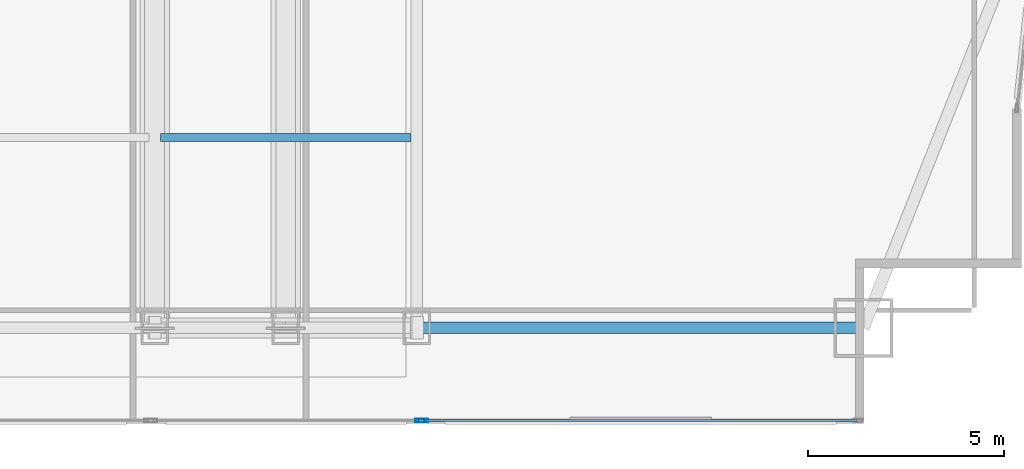
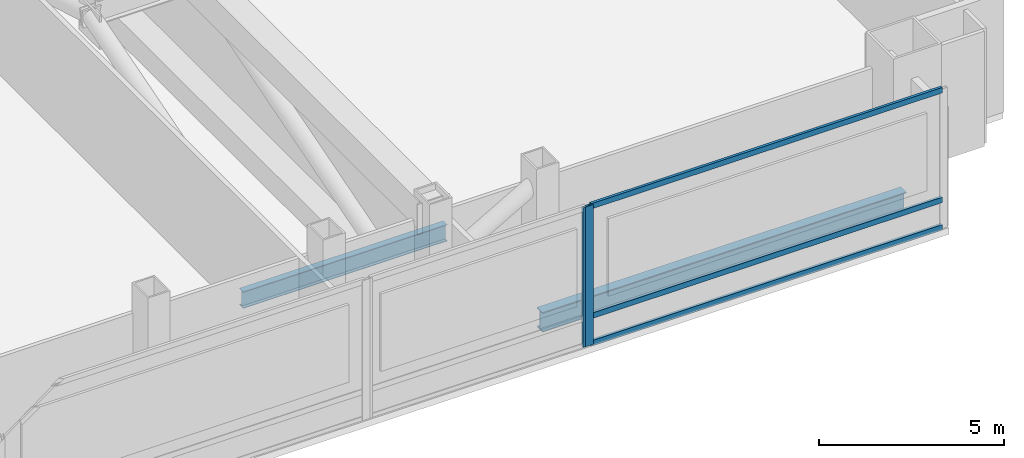
# One storey, part 15 of 32: 5 members, 2 beams, 2 elements without a shape of their own.
"""IFC4 building model written with IfcOpenShell, lengths in metres."""

from ifc_helpers import new_model, si_unit, direction, frame, origin, origin_2d, place, context, subcontext, project, spatial, hollow_rectangle, i_section, extrude, material, material_profile, profile_set, type_object, element, aggregate, save


model = new_model("IFC4")

# Units and contexts
model_context = context("Model", 3, precision=1e-05, world=origin(), true_north=direction((0.0, 1.0)))
body_context = subcontext(model_context, "Body", "Model", "MODEL_VIEW")
ifc_project = project(units=[si_unit("LENGTHUNIT", "METRE"), si_unit("AREAUNIT", "SQUARE_METRE"), si_unit("VOLUMEUNIT", "CUBIC_METRE"), si_unit("PLANEANGLEUNIT", "RADIAN"), si_unit("MASSUNIT", "GRAM", prefix="KILO")], contexts=[model_context])

# Site, building, storey
site_placement = place(None, origin())
site = spatial("IfcSite", under=ifc_project, at=site_placement, CompositionType="ELEMENT")
building_placement = place(site_placement, origin())
building = spatial("IfcBuilding", under=site, at=building_placement, Name="Khoronbel Lancet Exchange", CompositionType="ELEMENT")
storey_placement = place(building_placement, frame((0.0, 0.0, 85.800048828125)))
storey = spatial("IfcBuildingStorey", under=building, at=storey_placement, Name="L20", CompositionType="ELEMENT", Elevation=85.800048828125)

# Beams
ifc_material_1 = material(Name="Steel S355", Category="steel")
ifc_material_profile_1 = material_profile(ifc_material_1, i_section(OverallWidth=0.2099609375, OverallDepth=0.550048828125, WebThickness=0.010986328125, FlangeThickness=0.01708984375, at=origin_2d()), Name="IPE 550")
ifc_profile_set_1 = profile_set([ifc_material_profile_1], Name="Steel S355")
beam_type_1 = type_object("IfcBeamType", Name="BM-BJ2", PredefinedType="JOIST", material=ifc_profile_set_1)
beam_1_placement = place(storey_placement, frame((48.14990234375, 15.0, -0.4951171875), z_axis=(1.0, 0.0, 0.0), x_axis=(0.0, 1.0, 0.0)))
element("IfcBeam", 1, at=beam_1_placement, inside=storey, type_object=beam_type_1, Name="Level L20 secondary composite joist J05", PredefinedType="JOIST", context=body_context, shape_type="SweptSolid", body=[
    extrude(i_section(OverallWidth=0.2099609375, OverallDepth=0.550048828125, WebThickness=0.010986328125, FlangeThickness=0.01708984375, at=origin_2d()), origin(), (0.0, 0.0, 1.0), 6.375),
])
ifc_material_profile_2 = material_profile(ifc_material_1, i_section(OverallWidth=0.300048828125, OverallDepth=0.64990234375, WebThickness=0.01611328125, FlangeThickness=0.031005859375, at=origin_2d()), Name="HEB 650")
ifc_profile_set_2 = profile_set([ifc_material_profile_2], Name="Steel S355")
beam_type_2 = type_object("IfcBeamType", Name="BM-BSP1", PredefinedType="SPANDREL", material=ifc_profile_set_2)
beam_2_placement = place(storey_placement, frame((54.675048828125, 10.14990234375, -0.545166015625), z_axis=(1.0, 0.0, 0.0), x_axis=(0.0, 1.0, 0.0)))
element("IfcBeam", 2, at=beam_2_placement, inside=storey, type_object=beam_type_2, Name="Level L20 perimeter spandrel beam SP09", PredefinedType="SPANDREL", context=body_context, shape_type="SweptSolid", body=[
    extrude(i_section(OverallWidth=0.300048828125, OverallDepth=0.64990234375, WebThickness=0.01611328125, FlangeThickness=0.031005859375, at=origin_2d()), origin(), (0.0, 0.0, 1.0), 11.375),
])

# Curtain wall, member
ifc_material_2 = material(Name="Low-E Solar Control Insulating Glass", Category="glass")
curtain_wall_type = type_object("IfcCurtainWallType", Name="CW-2", PredefinedType="NOTDEFINED", material=ifc_material_2)
curtain_wall_1_placement = place(storey_placement, origin())
curtain_wall_1 = element("IfcCurtainWall", 3, at=curtain_wall_1_placement, inside=storey, type_object=curtain_wall_type, Name="Unitised curtain wall CW-L20-SEB", PredefinedType="NOTDEFINED")
ifc_material_3 = material(Name="Bronze-Anodised Aluminium 6063-T6", Category="aluminium")
ifc_material_profile_3 = material_profile(ifc_material_3, hollow_rectangle(XDim=0.0849609375, YDim=0.239990234375, WallThickness=0.006103515625, at=origin_2d()), Name="ALU MULLION 85x240")
ifc_profile_set_3 = profile_set([ifc_material_profile_3], Name="Bronze-Anodised Aluminium 6063-T6")
member_type_1 = type_object("IfcMemberType", Name="MEM-CWM1", PredefinedType="MULLION", material=ifc_profile_set_3)
member_1_placement = place(storey_placement, frame((54.757568359375, 7.7900390625, 0.0), z_axis=(0.0, 0.0, 1.0), x_axis=(0.0, 1.0, 0.0)))
member_1 = element("IfcMember", 4, at=member_1_placement, type_object=member_type_1, Name="CW2 mullion 2", PredefinedType="MULLION", context=body_context, shape_type="SweptSolid", body=[
    extrude(hollow_rectangle(XDim=0.0849609375, YDim=0.239990234375, WallThickness=0.006103515625, at=origin_2d()), origin(), (0.0, 0.0, 1.0), 4.619873046875),
])
aggregate(curtain_wall_1, [member_1])

# Curtain wall, members
curtain_wall_2_placement = place(storey_placement, origin())
curtain_wall_2 = element("IfcCurtainWall", 5, at=curtain_wall_2_placement, inside=storey, type_object=curtain_wall_type, Name="Unitised curtain wall CW-L20-SEV", PredefinedType="NOTDEFINED")
member_2_placement = place(storey_placement, frame((54.842529296875, 7.7900390625, 0.0), z_axis=(0.0, 0.0, 1.0), x_axis=(0.0, 1.0, 0.0)))
member_2 = element("IfcMember", 6, at=member_2_placement, type_object=member_type_1, Name="CW2 mullion 1", PredefinedType="MULLION", context=body_context, shape_type="SweptSolid", body=[
    extrude(hollow_rectangle(XDim=0.0849609375, YDim=0.239990234375, WallThickness=0.006103515625, at=origin_2d()), origin(), (0.0, 0.0, 1.0), 4.619873046875),
])
ifc_material_profile_4 = material_profile(ifc_material_3, hollow_rectangle(XDim=0.0849609375, YDim=0.179931640625, WallThickness=0.0048828125, at=origin_2d()), Name="ALU TRANSOM 85x180")
ifc_profile_set_4 = profile_set([ifc_material_profile_4], Name="Bronze-Anodised Aluminium 6063-T6")
member_type_2 = type_object("IfcMemberType", Name="MEM-CWT1", PredefinedType="USERDEFINED", material=ifc_profile_set_4)
member_3_placement = place(storey_placement, frame((54.885009765625, 7.7900390625, 0.04248046875), z_axis=(1.0, 0.0, 0.0), x_axis=(0.0, 1.0, 0.0)))
member_3 = element("IfcMember", 7, at=member_3_placement, type_object=member_type_2, Name="CW2 transom 1.1", ObjectType="TRANSOM", PredefinedType="USERDEFINED", context=body_context, shape_type="SweptSolid", body=[
    extrude(hollow_rectangle(XDim=0.0849609375, YDim=0.179931640625, WallThickness=0.0048828125, at=origin_2d()), origin(), (0.0, 0.0, 1.0), 10.989990234375),
])
member_4_placement = place(storey_placement, frame((54.885009765625, 7.7900390625, 0.949951171875), z_axis=(1.0, 0.0, 0.0), x_axis=(0.0, 1.0, 0.0)))
member_4 = element("IfcMember", 8, at=member_4_placement, type_object=member_type_2, Name="CW2 transom 1.2", ObjectType="TRANSOM", PredefinedType="USERDEFINED", context=body_context, shape_type="SweptSolid", body=[
    extrude(hollow_rectangle(XDim=0.0849609375, YDim=0.179931640625, WallThickness=0.0048828125, at=origin_2d()), origin(), (0.0, 0.0, 1.0), 10.989990234375),
])
member_5_placement = place(storey_placement, frame((54.885009765625, 7.7900390625, 4.577392578125), z_axis=(1.0, 0.0, 0.0), x_axis=(0.0, 1.0, 0.0)))
member_5 = element("IfcMember", 9, at=member_5_placement, type_object=member_type_2, Name="CW2 transom 1.3", ObjectType="TRANSOM", PredefinedType="USERDEFINED", context=body_context, shape_type="SweptSolid", body=[
    extrude(hollow_rectangle(XDim=0.0849609375, YDim=0.179931640625, WallThickness=0.0048828125, at=origin_2d()), origin(), (0.0, 0.0, 1.0), 10.989990234375),
])
aggregate(curtain_wall_2, [member_2, member_3, member_4, member_5])

save(model, "model.ifc")
